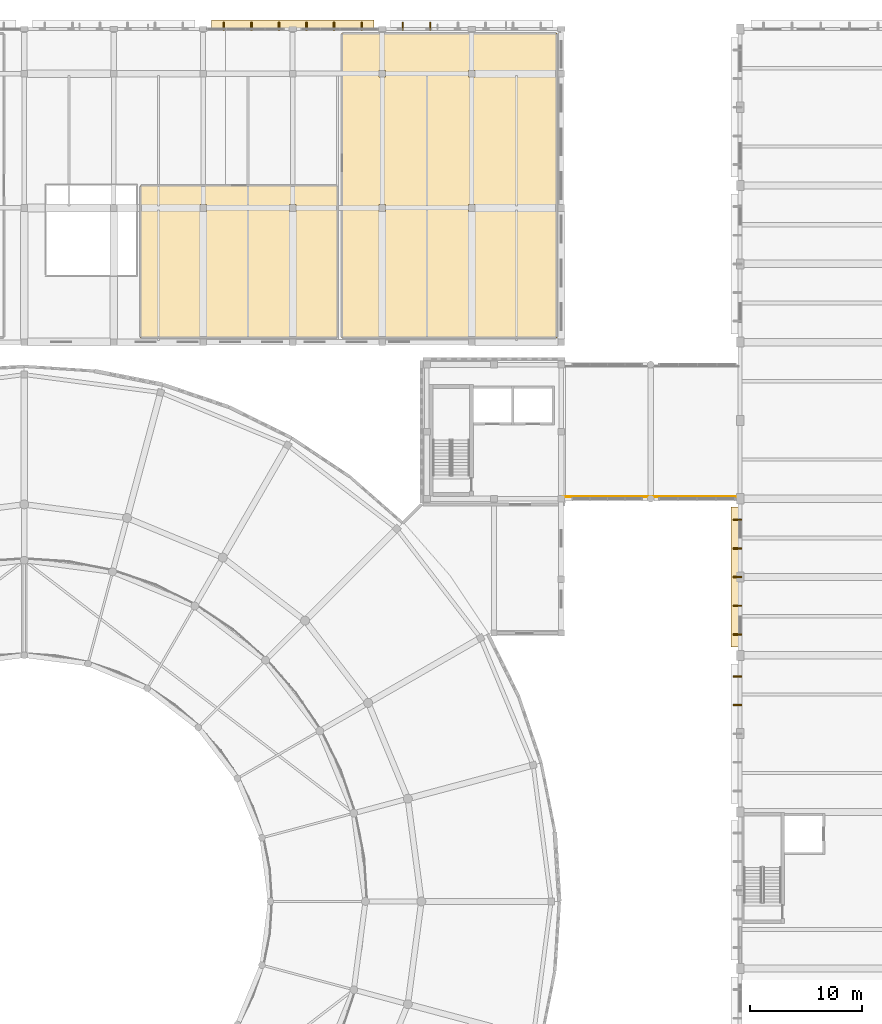
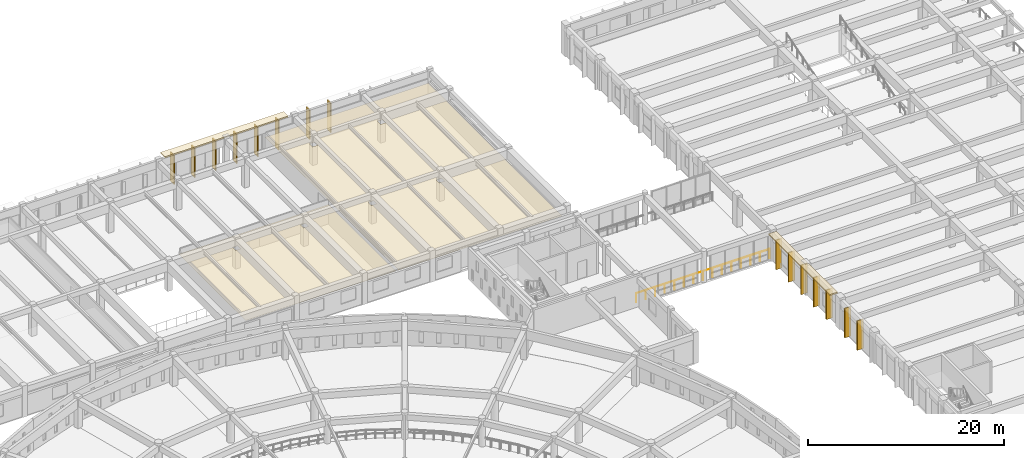
# One storey, part 92 of 98: 19 coverings, 1 railing.
"""IFC4 building model written with IfcOpenShell, lengths in metres."""

from ifc_helpers import new_model, si_unit, direction, frame, origin, origin_2d, place, context, subcontext, project, spatial, polyline, rectangle, circle, outline, extrude, material, layer, layer_set, type_object, element, save


model = new_model("IFC4")

# Units and contexts
model_context = context("Model", 3, precision=1e-05, world=origin(), true_north=direction((0.0, 1.0)))
body_context = subcontext(model_context, "Body", "Model", "MODEL_VIEW")
ifc_project = project(units=[si_unit("LENGTHUNIT", "METRE"), si_unit("AREAUNIT", "SQUARE_METRE"), si_unit("VOLUMEUNIT", "CUBIC_METRE"), si_unit("PLANEANGLEUNIT", "RADIAN"), si_unit("MASSUNIT", "GRAM", prefix="KILO")], contexts=[model_context])

# Site, building, storey
site_placement = place(None, origin())
site = spatial("IfcSite", under=ifc_project, at=site_placement, CompositionType="ELEMENT")
building_placement = place(site_placement, origin())
building = spatial("IfcBuilding", under=site, at=building_placement, Name="Larkveld Mobility Hub", CompositionType="ELEMENT")
storey_placement = place(building_placement, frame((0.0, 0.0, 4.5)))
storey = spatial("IfcBuildingStorey", under=building, at=storey_placement, Name="L01", CompositionType="ELEMENT", Elevation=4.5)

# Coverings
ifc_material_1 = material(Name="Precast concrete C50/60", Category="concrete")
ifc_layer_1 = layer(ifc_material_1, 0.14990234375, Name="Precast concrete C50/60", Category="concrete")
ifc_layer_set_1 = layer_set([ifc_layer_1], Name="Precast concrete C50/60")
covering_type_1 = type_object("IfcCoveringType", Name="COV-QSL-H01", PredefinedType="CLADDING", material=ifc_layer_set_1)
covering_1_placement = place(storey_placement, frame((72.0, 126.340087890625, 3.670166015625), z_axis=(0.0, 0.0, 1.0), x_axis=(-1.0, 0.0, 0.0)))
element("IfcCovering", 1, at=covering_1_placement, inside=storey, type_object=covering_type_1, Name="Precast Quebra-Sol Horizontal Sunbreaker QSH-085", PredefinedType="CLADDING", context=body_context, shape_type="SweptSolid", body=[
    extrude(rectangle(XDim=14.5, YDim=0.919921875, at=origin_2d()), origin(), (0.0, 0.0, 1.0), 0.14990234375),
])
covering_2_placement = place(storey_placement, frame((111.659912109375, 77.0, 3.670166015625), z_axis=(0.0, 0.0, 1.0), x_axis=(0.0, -1.0, 0.0)))
element("IfcCovering", 2, at=covering_2_placement, inside=storey, type_object=covering_type_1, Name="Precast Quebra-Sol Horizontal Sunbreaker QSH-415", PredefinedType="CLADDING", context=body_context, shape_type="SweptSolid", body=[
    extrude(rectangle(XDim=12.5, YDim=0.919921875, at=origin_2d()), origin(), (0.0, 0.0, 1.0), 0.14990234375),
])
ifc_layer_2 = layer(ifc_material_1, 0.1201171875, Name="Precast concrete C50/60", Category="concrete")
ifc_layer_set_2 = layer_set([ifc_layer_2], Name="Precast concrete C50/60")
covering_type_2 = type_object("IfcCoveringType", Name="COV-QSL-V01", PredefinedType="CLADDING", material=ifc_layer_set_2)
for number, where, z_axis, x_axis, name in (
    (3, (78.1669921875, 126.239990234375, -0.0205078125), (0.0, 0.0, 1.0), (-1.0, 0.0, 0.0), "Precast Quebra-Sol Vertical Fin QSV-086"),
    (4, (75.699951171875, 126.239990234375, -0.0205078125), (0.0, 0.0, 1.0), (-1.0, 0.0, 0.0), "Precast Quebra-Sol Vertical Fin QSV-087"),
    (5, (73.23291015625, 126.239990234375, -0.0205078125), (0.0, 0.0, 1.0), (-1.0, 0.0, 0.0), "Precast Quebra-Sol Vertical Fin QSV-088"),
    (6, (70.76708984375, 126.239990234375, -0.0205078125), (0.0, 0.0, 1.0), (-1.0, 0.0, 0.0), "Precast Quebra-Sol Vertical Fin QSV-089"),
    (7, (68.300048828125, 126.239990234375, -0.0205078125), (0.0, 0.0, 1.0), (-1.0, 0.0, 0.0), "Precast Quebra-Sol Vertical Fin QSV-090"),
    (8, (65.8330078125, 126.239990234375, -0.0205078125), (0.0, 0.0, 1.0), (-1.0, 0.0, 0.0), "Precast Quebra-Sol Vertical Fin QSV-091"),
    (9, (84.300048828125, 126.239990234375, -0.0205078125), (0.0, 0.0, 1.0), (-1.0, 0.0, 0.0), "Precast Quebra-Sol Vertical Fin QSV-097"),
    (10, (81.8330078125, 126.239990234375, -0.0205078125), (0.0, 0.0, 1.0), (-1.0, 0.0, 0.0), "Precast Quebra-Sol Vertical Fin QSV-098"),
    (11, (111.760009765625, 68.1201171875, -0.0205078125), (0.0, 0.0, 1.0), (0.0, -1.0, 0.0), "Precast Quebra-Sol Vertical Fin QSV-410"),
    (12, (111.760009765625, 65.56005859375, -0.0205078125), (0.0, 0.0, 1.0), (0.0, -1.0, 0.0), "Precast Quebra-Sol Vertical Fin QSV-411"),
    (13, (111.760009765625, 82.1201171875, -0.0205078125), (0.0, 0.0, 1.0), (0.0, -1.0, 0.0), "Precast Quebra-Sol Vertical Fin QSV-416"),
    (14, (111.760009765625, 79.56005859375, -0.0205078125), (0.0, 0.0, 1.0), (0.0, -1.0, 0.0), "Precast Quebra-Sol Vertical Fin QSV-417"),
    (15, (111.760009765625, 77.0, -0.0205078125), (0.0, 0.0, 1.0), (0.0, -1.0, 0.0), "Precast Quebra-Sol Vertical Fin QSV-418"),
    (16, (111.760009765625, 74.43994140625, -0.0205078125), (0.0, 0.0, 1.0), (0.0, -1.0, 0.0), "Precast Quebra-Sol Vertical Fin QSV-419"),
    (17, (111.760009765625, 71.8798828125, -0.0205078125), (0.0, 0.0, 1.0), (0.0, -1.0, 0.0), "Precast Quebra-Sol Vertical Fin QSV-420"),
):
    element("IfcCovering", number, at=place(storey_placement, frame(where, z_axis=z_axis, x_axis=x_axis)), inside=storey, type_object=covering_type_2, Name=name, PredefinedType="CLADDING", context=body_context, shape_type="SweptSolid", body=[
        extrude(rectangle(XDim=0.1201171875, YDim=0.719970703125, at=origin_2d()), origin(), (0.0, 0.0, 1.0), 3.675048828125),
    ])
ifc_material_2 = material(Name="Perforated mineral-fibre acoustic ceiling", Category="masonry")
ifc_layer_3 = layer(ifc_material_2, 0.02001953125, Name="Perforated mineral-fibre acoustic ceiling", Category="masonry")
ifc_layer_set_3 = layer_set([ifc_layer_3], Name="Perforated mineral-fibre acoustic ceiling")
covering_type_3 = type_object("IfcCoveringType", Name="CV-CLG-020", PredefinedType="CEILING", material=ifc_layer_set_3)
covering_3_placement = place(storey_placement, frame((0.0, 0.0, 2.330078125)))
element("IfcCovering", 18, at=covering_3_placement, inside=storey, type_object=covering_type_3, Name="Shared-Mobility Co-Working Waiting Lounge Acoustic Ceiling 020", PredefinedType="CEILING", context=body_context, shape_type="SweptSolid", body=[
    extrude(outline(polyline([(76.4169921875, 98.3701171875), (76.4140625, 98.37109375), (76.410888671875, 98.37109375), (76.408935546875, 98.3720703125), (76.406005859375, 98.3740234375), (76.403076171875, 98.375), (76.40087890625, 98.376953125), (76.39892578125, 98.37890625), (76.37890625, 98.39892578125), (76.376953125, 98.40087890625), (76.375, 98.403076171875), (76.3740234375, 98.406005859375), (76.3720703125, 98.408935546875), (76.37109375, 98.410888671875), (76.37109375, 98.4140625), (76.3701171875, 98.4169921875), (76.3701171875, 98.419921875), (76.373046875, 125.591064453125), (76.3740234375, 125.593994140625), (76.3740234375, 125.596923828125), (76.375, 125.60009765625), (76.3759765625, 125.60302734375), (76.376953125, 125.60498046875), (76.3779296875, 125.60791015625), (76.3798828125, 125.610107421875), (76.382080078125, 125.612060546875), (76.384033203125, 125.614013671875), (76.386962890625, 125.615966796875), (76.388916015625, 125.617919921875), (76.39208984375, 125.618896484375), (76.39501953125, 125.6201171875), (76.39794921875, 125.62109375), (76.39990234375, 125.62109375), (76.403076171875, 125.62109375), (95.591064453125, 125.626953125), (95.593994140625, 125.6259765625), (95.596923828125, 125.6259765625), (95.60009765625, 125.625), (95.60302734375, 125.6240234375), (95.60498046875, 125.623046875), (95.60791015625, 125.6220703125), (95.610107421875, 125.6201171875), (95.612060546875, 125.617919921875), (95.614013671875, 125.615966796875), (95.615966796875, 125.613037109375), (95.617919921875, 125.611083984375), (95.618896484375, 125.60791015625), (95.6201171875, 125.60498046875), (95.62109375, 125.60205078125), (95.62109375, 125.60009765625), (95.62109375, 125.596923828125), (95.626953125, 98.408935546875), (95.6259765625, 98.406005859375), (95.6259765625, 98.403076171875), (95.625, 98.39990234375), (95.6240234375, 98.39697265625), (95.623046875, 98.39501953125), (95.6220703125, 98.39208984375), (95.6201171875, 98.389892578125), (95.617919921875, 98.387939453125), (95.615966796875, 98.385986328125), (95.613037109375, 98.384033203125), (95.611083984375, 98.382080078125), (95.60791015625, 98.381103515625), (95.60498046875, 98.3798828125), (95.60205078125, 98.37890625), (95.60009765625, 98.37890625), (95.596923828125, 98.37890625), (76.419921875, 98.3701171875), (76.4169921875, 98.3701171875)]), holes=[polyline([(79.695068359375, 110.304931640625), (79.695068359375, 109.695068359375), (80.304931640625, 109.695068359375), (80.304931640625, 110.304931640625), (79.695068359375, 110.304931640625)]), polyline([(87.695068359375, 110.304931640625), (87.695068359375, 109.695068359375), (88.304931640625, 109.695068359375), (88.304931640625, 110.304931640625), (87.695068359375, 110.304931640625)]), polyline([(79.695068359375, 122.304931640625), (79.695068359375, 121.695068359375), (80.304931640625, 121.695068359375), (80.304931640625, 122.304931640625), (79.695068359375, 122.304931640625)]), polyline([(87.695068359375, 122.304931640625), (87.695068359375, 121.695068359375), (88.304931640625, 121.695068359375), (88.304931640625, 122.304931640625), (87.695068359375, 122.304931640625)])]), origin(), (0.0, 0.0, 1.0), 0.02001953125),
])
ifc_material_3 = material(Name="Moisture-resistant gypsum board ceiling", Category="masonry")
ifc_layer_4 = layer(ifc_material_3, 0.02490234375, Name="Moisture-resistant gypsum board ceiling", Category="masonry")
ifc_layer_set_4 = layer_set([ifc_layer_4], Name="Moisture-resistant gypsum board ceiling")
covering_type_4 = type_object("IfcCoveringType", Name="CV-CLG-025", PredefinedType="CEILING", material=ifc_layer_set_4)
covering_4_placement = place(storey_placement, frame((0.0, 0.0, 2.324951171875)))
element("IfcCovering", 19, at=covering_4_placement, inside=storey, type_object=covering_type_4, Name="Commuter Shower and Locker Changing Suite Acoustic Ceiling 019", PredefinedType="CEILING", context=body_context, shape_type="SweptSolid", body=[
    extrude(outline(polyline([(58.4169921875, 98.3701171875), (58.4140625, 98.37109375), (58.410888671875, 98.37109375), (58.408935546875, 98.3720703125), (58.406005859375, 98.3740234375), (58.403076171875, 98.375), (58.40087890625, 98.376953125), (58.39892578125, 98.37890625), (58.37890625, 98.39892578125), (58.376953125, 98.40087890625), (58.375, 98.403076171875), (58.3740234375, 98.406005859375), (58.3720703125, 98.408935546875), (58.37109375, 98.410888671875), (58.37109375, 98.4140625), (58.3701171875, 98.4169921875), (58.3701171875, 98.419921875), (58.376953125, 111.9951171875), (58.376953125, 111.998046875), (58.3779296875, 112.0009765625), (58.37890625, 112.00390625), (58.3798828125, 112.007080078125), (58.381103515625, 112.010009765625), (58.382080078125, 112.011962890625), (58.384033203125, 112.014892578125), (58.385986328125, 112.01708984375), (58.387939453125, 112.01904296875), (58.39111328125, 112.02001953125), (58.39306640625, 112.02197265625), (58.39599609375, 112.02294921875), (58.39892578125, 112.02392578125), (58.40087890625, 112.02490234375), (58.404052734375, 112.02490234375), (58.406982421875, 112.02490234375), (75.9951171875, 112.02294921875), (75.998046875, 112.02294921875), (76.0009765625, 112.02197265625), (76.00390625, 112.02099609375), (76.007080078125, 112.02001953125), (76.010009765625, 112.01904296875), (76.011962890625, 112.01806640625), (76.013916015625, 112.01611328125), (76.01708984375, 112.013916015625), (76.01904296875, 112.011962890625), (76.02001953125, 112.009033203125), (76.02197265625, 112.007080078125), (76.02294921875, 112.00390625), (76.02392578125, 112.0009765625), (76.02490234375, 111.9990234375), (76.02490234375, 111.99609375), (76.02490234375, 111.992919921875), (76.02294921875, 98.405029296875), (76.02294921875, 98.402099609375), (76.02197265625, 98.39892578125), (76.02099609375, 98.39599609375), (76.02001953125, 98.39306640625), (76.01904296875, 98.389892578125), (76.01806640625, 98.387939453125), (76.01611328125, 98.385986328125), (76.013916015625, 98.383056640625), (76.011962890625, 98.381103515625), (76.009033203125, 98.3798828125), (76.007080078125, 98.3779296875), (76.00390625, 98.376953125), (76.0009765625, 98.3759765625), (75.9990234375, 98.375), (75.99609375, 98.375), (75.992919921875, 98.375), (58.419921875, 98.3701171875), (58.4169921875, 98.3701171875)]), holes=[polyline([(63.695068359375, 109.695068359375), (64.304931640625, 109.695068359375), (64.304931640625, 110.304931640625), (63.695068359375, 110.304931640625), (63.695068359375, 109.695068359375)]), polyline([(71.695068359375, 109.695068359375), (72.304931640625, 109.695068359375), (72.304931640625, 110.304931640625), (71.695068359375, 110.304931640625), (71.695068359375, 109.695068359375)])]), origin(), (0.0, 0.0, 1.0), 0.025146484375),
])

# Railing
ifc_material_4 = material(Name="Galvanized Steel S355JR vehicle-deck guard", Category="steel")
railing_type = type_object("IfcRailingType", Name="RL-GRD-RMP", PredefinedType="GUARDRAIL", material=ifc_material_4)
railing_placement = place(storey_placement, frame((96.14990234375, 84.179931640625, 0.0)))
element("IfcRailing", 20, at=railing_placement, inside=storey, type_object=railing_type, Name="Footbridge L01 South Safety Rail L01-023", PredefinedType="GUARDRAIL", context=body_context, shape_type="SweptSolid", body=[
    extrude(circle(Radius=0.02392578125, at=origin_2d()), frame((0.0, 0.0, 1.1259765625), z_axis=(1.0, 0.0, 0.0), x_axis=(0.0, 1.0, 0.0)), (0.0, 0.0, 1.0), 15.7001953125),
    extrude(circle(Radius=0.02099609375, at=origin_2d()), origin(), (0.0, 0.0, 1.0), 1.101806640625),
    extrude(circle(Radius=0.02099609375, at=origin_2d()), frame((1.121337890625, 0.0, 0.0)), (0.0, 0.0, 1.0), 1.101806640625),
    extrude(circle(Radius=0.02099609375, at=origin_2d()), frame((2.242919921875, 0.0, 0.0)), (0.0, 0.0, 1.0), 1.101806640625),
    extrude(circle(Radius=0.02099609375, at=origin_2d()), frame((3.3642578125, 0.0, 0.0)), (0.0, 0.0, 1.0), 1.101806640625),
    extrude(circle(Radius=0.02099609375, at=origin_2d()), frame((4.48583984375, 0.0, 0.0)), (0.0, 0.0, 1.0), 1.101806640625),
    extrude(circle(Radius=0.02099609375, at=origin_2d()), frame((5.607177734375, 0.0, 0.0)), (0.0, 0.0, 1.0), 1.101806640625),
    extrude(circle(Radius=0.02099609375, at=origin_2d()), frame((6.728759765625, 0.0, 0.0)), (0.0, 0.0, 1.0), 1.101806640625),
    extrude(circle(Radius=0.02099609375, at=origin_2d()), frame((7.85009765625, 0.0, 0.0)), (0.0, 0.0, 1.0), 1.101806640625),
    extrude(circle(Radius=0.02099609375, at=origin_2d()), frame((8.971435546875, 0.0, 0.0)), (0.0, 0.0, 1.0), 1.101806640625),
    extrude(circle(Radius=0.02099609375, at=origin_2d()), frame((10.093017578125, 0.0, 0.0)), (0.0, 0.0, 1.0), 1.101806640625),
    extrude(circle(Radius=0.02099609375, at=origin_2d()), frame((11.21435546875, 0.0, 0.0)), (0.0, 0.0, 1.0), 1.101806640625),
    extrude(circle(Radius=0.02099609375, at=origin_2d()), frame((12.3359375, 0.0, 0.0)), (0.0, 0.0, 1.0), 1.101806640625),
    extrude(circle(Radius=0.02099609375, at=origin_2d()), frame((13.457275390625, 0.0, 0.0)), (0.0, 0.0, 1.0), 1.101806640625),
    extrude(circle(Radius=0.02099609375, at=origin_2d()), frame((14.578857421875, 0.0, 0.0)), (0.0, 0.0, 1.0), 1.101806640625),
    extrude(circle(Radius=0.02099609375, at=origin_2d()), frame((15.7001953125, 0.0, 0.0)), (0.0, 0.0, 1.0), 1.101806640625),
])

save(model, "model.ifc")
